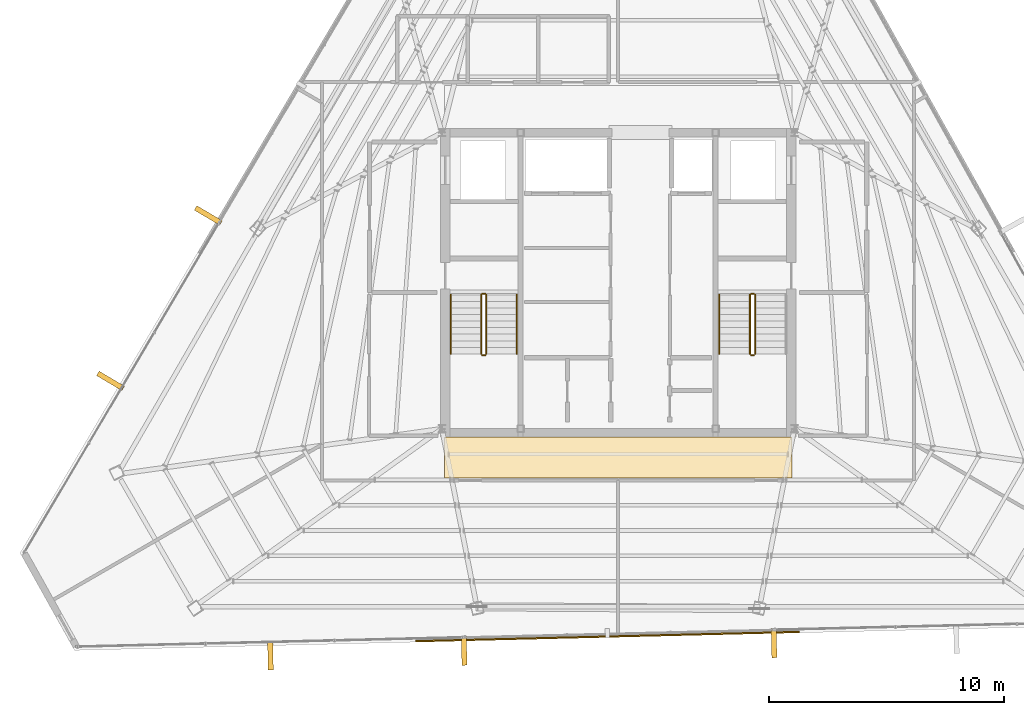
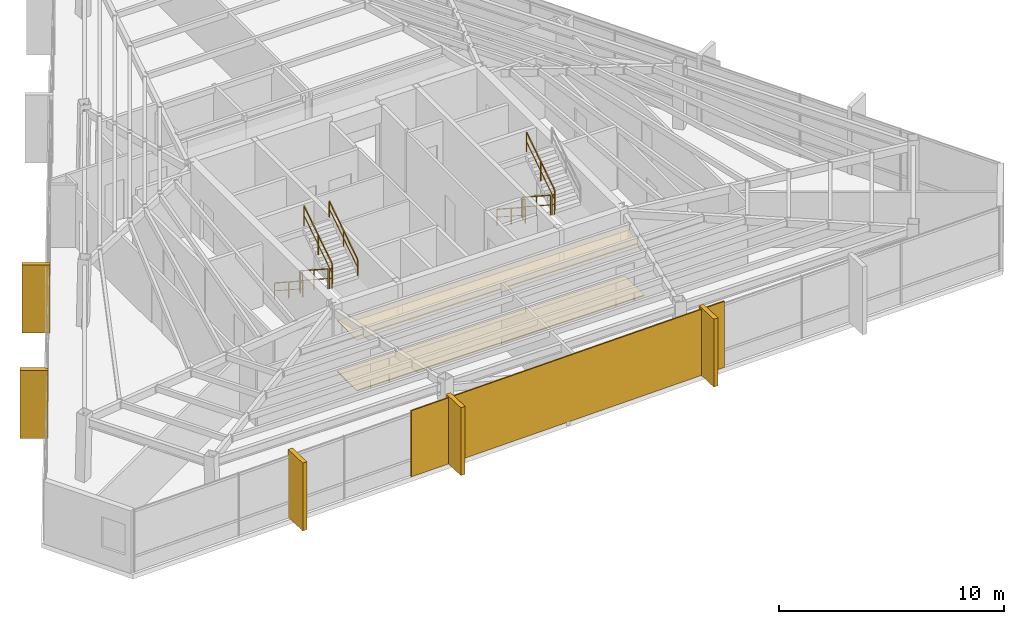
# One storey, part 47 of 48: 11 railings, 7 coverings, 1 shading device.
"""IFC4 building model written with IfcOpenShell, lengths in metres."""

import ifcopenshell
import ifcopenshell.guid

model = None  # the IFC model being written
_history = None  # IfcOwnerHistory: only IFC2X3 demands one
_inside = {}  # id of a spatial element -> (the spatial element, [elements in it])
_under = {}  # id of a project, library or spatial element -> (it, [spatial elements below it])
_declared = {}  # id of a project -> (the project, [libraries it declares])
_typed = {}  # id of a type object -> (the type object, [elements of that type])
_made_of = {}  # id of a material, layer set ... -> (it, [elements and type objects made of it])


def new_model(schema):
    """Start an empty IFC model of exactly this schema.

    Asked for "IFC4X3", IfcOpenShell would pick the latest addendum, in which some entities
    have other attributes; the version numbers below select the first issue.
    IFC2X3 requires an IfcOwnerHistory on every rooted entity: one is made here for all.
    """
    global model, _history
    if schema == "IFC4X3":
        model = ifcopenshell.file(schema_version=(4, 3, 0, 0))
    else:
        model = ifcopenshell.file(schema=schema)
    _inside.clear()
    _under.clear()
    _declared.clear()
    _typed.clear()
    _made_of.clear()
    _history = None
    if model.schema == "IFC2X3":
        org = make("IfcOrganization", Name="unknown")
        user = make(
            "IfcPersonAndOrganization",
            ThePerson=make("IfcPerson", FamilyName="unknown"),
            TheOrganization=org,
        )
        app = make(
            "IfcApplication",
            ApplicationDeveloper=org,
            Version="unknown",
            ApplicationFullName="unknown",
            ApplicationIdentifier="unknown",
        )
        _history = make(
            "IfcOwnerHistory",
            OwningUser=user,
            OwningApplication=app,
            ChangeAction="ADDED",
            CreationDate=0,
        )
    return model


def make(cls, **values):
    """One entity of the class cls with the attributes given. An attribute that is None is left unset."""
    return model.create_entity(
        cls, **{name: value for name, value in values.items() if value is not None}
    )


def rooted(cls, **values):
    """An entity with a GlobalId (a new one), such as an element, a storey or a relation."""
    return make(cls, GlobalId=ifcopenshell.guid.new(), OwnerHistory=_history, **values)


def si_unit(unit_type, name, prefix=None):
    """IfcSIUnit, for example si_unit("LENGTHUNIT", "METRE", prefix="MILLI")."""
    return make("IfcSIUnit", UnitType=unit_type, Prefix=prefix, Name=name)


def assignment(units):
    """IfcUnitAssignment: the units of a project."""
    return None if units is None else make("IfcUnitAssignment", Units=units)


def point(xyz):
    """IfcCartesianPoint."""
    return None if xyz is None else make("IfcCartesianPoint", Coordinates=xyz)


def direction(xyz):
    """IfcDirection."""
    return None if xyz is None else make("IfcDirection", DirectionRatios=xyz)


def frame(location, z_axis=None, x_axis=None):
    """IfcAxis2Placement3D, a coordinate frame: its origin and axes. An axis left out is left unset."""
    return make(
        "IfcAxis2Placement3D",
        Location=point(location),
        Axis=direction(z_axis),
        RefDirection=direction(x_axis),
    )


def frame_2d(location, x_axis=None):
    """IfcAxis2Placement2D, a coordinate frame in the plane: its origin and x axis."""
    return make(
        "IfcAxis2Placement2D", Location=point(location), RefDirection=direction(x_axis)
    )


def origin():
    """The frame at (0, 0, 0) with its axes left unset."""
    return frame((0.0, 0.0, 0.0))


def origin_2d():
    """The frame at (0, 0) in the plane with its x axis left unset."""
    return frame_2d((0.0, 0.0))


def place(relative_to, where):
    """IfcLocalPlacement: puts the frame where relative to a parent placement (None: the world)."""
    return make(
        "IfcLocalPlacement", PlacementRelTo=relative_to, RelativePlacement=where
    )


def context(
    kind, dimensions, precision=None, world=None, true_north=None, identifier=None
):
    """IfcGeometricRepresentationContext, for example the 3D "Model" context."""
    return make(
        "IfcGeometricRepresentationContext",
        ContextIdentifier=identifier,
        ContextType=kind,
        CoordinateSpaceDimension=dimensions,
        Precision=precision,
        WorldCoordinateSystem=world,
        TrueNorth=true_north,
    )


def subcontext(parent, identifier, kind, view, scale=None):
    """IfcGeometricRepresentationSubContext, for example "Body" below "Model"."""
    return make(
        "IfcGeometricRepresentationSubContext",
        ContextIdentifier=identifier,
        ContextType=kind,
        ParentContext=parent,
        TargetScale=scale,
        TargetView=view,
    )


def project(units=None, contexts=None):
    """IfcProject with its units and contexts."""
    return rooted(
        "IfcProject",
        Name="project",
        RepresentationContexts=contexts,
        UnitsInContext=assignment(units),
    )


def spatial(cls, under=None, at=None, **own):
    """A site, building, storey or space (cls), placed at a placement, below another one or the project."""
    s = rooted(cls, ObjectPlacement=at, **own)
    if under is not None:
        _under.setdefault(under.id(), (under, []))[1].append(s)
    return s


def polyline(points):
    """IfcPolyline through the points."""
    return make("IfcPolyline", Points=[point(p) for p in points])


def profile(cls, at=None, kind="AREA", **sizes):
    """A parametric profile (cls). Its sizes go by their IFC names, for example OverallWidth=200.0."""
    return make(cls, ProfileType=kind, Position=at, **sizes)


def rectangle(**sizes):
    """IfcRectangleProfileDef."""
    return profile("IfcRectangleProfileDef", **sizes)


def outline(outer, holes=None, kind="AREA"):
    """IfcArbitraryClosedProfileDef: a profile drawn as a closed curve; with holes, ...WithVoids."""
    if holes is None:
        return make("IfcArbitraryClosedProfileDef", ProfileType=kind, OuterCurve=outer)
    return make(
        "IfcArbitraryProfileDefWithVoids",
        ProfileType=kind,
        OuterCurve=outer,
        InnerCurves=holes,
    )


def extrude(swept, where, along, depth):
    """IfcExtrudedAreaSolid: the profile swept, set in the frame where, extruded along a direction by depth."""
    return make(
        "IfcExtrudedAreaSolid",
        SweptArea=swept,
        Position=where,
        ExtrudedDirection=direction(along),
        Depth=depth,
    )


def shape(context_of_items, identifier, shape_type, items):
    """IfcShapeRepresentation: the items that make up one representation, for example the "Body"."""
    return make(
        "IfcShapeRepresentation",
        ContextOfItems=context_of_items,
        RepresentationIdentifier=identifier,
        RepresentationType=shape_type,
        Items=items,
    )


def source(mapping_origin, context_of_items, identifier, shape_type, items):
    """IfcRepresentationMap: a shape defined once, which mapped items show again and again."""
    return make(
        "IfcRepresentationMap",
        MappingOrigin=mapping_origin,
        MappedRepresentation=shape(context_of_items, identifier, shape_type, items),
    )


def transform(
    local_origin,
    x_axis=None,
    y_axis=None,
    z_axis=None,
    scale=None,
    scale2=None,
    scale3=None,
    uniform=True,
):
    """IfcCartesianTransformationOperator3D, or its non-uniform kind. x_axis, y_axis, z_axis: its Axis1, 2, 3."""
    if uniform:
        return make(
            "IfcCartesianTransformationOperator3D",
            Axis1=direction(x_axis),
            Axis2=direction(y_axis),
            LocalOrigin=point(local_origin),
            Scale=scale,
            Axis3=direction(z_axis),
        )
    return make(
        "IfcCartesianTransformationOperator3DnonUniform",
        Axis1=direction(x_axis),
        Axis2=direction(y_axis),
        LocalOrigin=point(local_origin),
        Scale=scale,
        Axis3=direction(z_axis),
        Scale2=scale2,
        Scale3=scale3,
    )


def mapped(mapping_source, mapping_target):
    """IfcMappedItem: shows the shape of a source again, moved by a transform."""
    return make(
        "IfcMappedItem", MappingSource=mapping_source, MappingTarget=mapping_target
    )


def material(Name=None, Category=None):
    """IfcMaterial."""
    return make("IfcMaterial", Name=Name, Category=Category)


def layer(
    of_material, thickness, ventilated=None, Name=None, Category=None, Priority=None
):
    """IfcMaterialLayer: one layer of a wall or slab, of a material (None: an air gap)."""
    return make(
        "IfcMaterialLayer",
        Material=of_material,
        LayerThickness=thickness,
        IsVentilated=ventilated,
        Name=Name,
        Category=Category,
        Priority=Priority,
    )


def layer_set(layers, Name=None):
    """IfcMaterialLayerSet."""
    return make("IfcMaterialLayerSet", MaterialLayers=layers, LayerSetName=Name)


def made_of(thing, what):
    """Note that an element or type object is made of a material, layer set ...; save() writes the relation."""
    if what is not None:
        _made_of.setdefault(what.id(), (what, []))[1].append(thing)
    return thing


def type_object(cls, material=None, **own):
    """A type object (cls), such as IfcWallType, which elements share."""
    return made_of(rooted(cls, **own), material)


def type_shapes(of_type, sources):
    """Give a type object the sources (RepresentationMaps) that its elements show as mapped items."""
    of_type.RepresentationMaps = sources


def element(
    cls,
    number,
    at=None,
    inside=None,
    cuts=None,
    type_object=None,
    material=None,
    context=None,
    identifier="Body",
    shape_type=None,
    held_by="IfcProductDefinitionShape",
    body=None,
    shapes=None,
    **own,
):
    """One element of the class cls, such as IfcWall. Its Tag is "e" and its number.

    at: its placement. inside: the storey or other place that contains it. cuts: it is an
    opening in that element (IfcRelVoidsElement). A single representation is given by context,
    identifier, shape_type and body (its items); several are given by shapes. held_by: the class
    of the entity that holds the representations. save() writes the other relations.
    """
    e = rooted(cls, Tag="e%d" % number, ObjectPlacement=at, **own)
    if body is not None:
        shapes = [shape(context, identifier, shape_type, body)]
    if shapes is not None:
        e.Representation = make(held_by, Representations=shapes)
    if inside is not None:
        _inside.setdefault(inside.id(), (inside, []))[1].append(e)
    if cuts is not None:
        rooted(
            "IfcRelVoidsElement", RelatingBuildingElement=cuts, RelatedOpeningElement=e
        )
    if type_object is not None:
        _typed.setdefault(type_object.id(), (type_object, []))[1].append(e)
    return made_of(e, material)


def aggregate(whole, parts):
    """IfcRelAggregates: a whole, such as a stair, and the parts it consists of."""
    return rooted("IfcRelAggregates", RelatingObject=whole, RelatedObjects=parts)


def save(model, path):
    """Write the relations noted so far, then the file.

    IfcRelAggregates (storeys below a building ...), IfcRelContainedInSpatialStructure (elements
    in a storey), IfcRelDefinesByType, IfcRelAssociatesMaterial and IfcRelDeclares: one each for
    every whole, place, type object, material and project.
    """
    for whole, parts in _under.values():
        aggregate(whole, parts)
    for where, things in _inside.values():
        rooted(
            "IfcRelContainedInSpatialStructure",
            RelatedElements=things,
            RelatingStructure=where,
        )
    for kind, things in _typed.values():
        rooted("IfcRelDefinesByType", RelatedObjects=things, RelatingType=kind)
    for what, things in _made_of.values():
        rooted("IfcRelAssociatesMaterial", RelatedObjects=things, RelatingMaterial=what)
    for by, libraries in _declared.values():
        rooted("IfcRelDeclares", RelatingContext=by, RelatedDefinitions=libraries)
    model.write(path)


model = new_model("IFC4")

# Units and contexts
model_context = context("Model", 3, precision=1e-05, world=origin(), true_north=direction((0.0, 1.0)))
body_context = subcontext(model_context, "Body", "Model", "MODEL_VIEW")
ifc_project = project(units=[si_unit("LENGTHUNIT", "METRE"), si_unit("AREAUNIT", "SQUARE_METRE"), si_unit("VOLUMEUNIT", "CUBIC_METRE"), si_unit("PLANEANGLEUNIT", "RADIAN"), si_unit("MASSUNIT", "GRAM", prefix="KILO")], contexts=[model_context])

# Site, building, storey
site_placement = place(None, origin())
site = spatial("IfcSite", under=ifc_project, at=site_placement, CompositionType="ELEMENT")
building_placement = place(site_placement, origin())
building = spatial("IfcBuilding", under=site, at=building_placement, Name="Caelisora Broadcast Tower", CompositionType="ELEMENT")
storey_placement = place(building_placement, frame((0.0, 0.0, 277.300048828125)))
storey = spatial("IfcBuildingStorey", under=building, at=storey_placement, Name="L73", CompositionType="ELEMENT", Elevation=277.300048828125)

# Coverings
ifc_material_1 = material(Name="Perforated Mineral-Fibre Acoustic Ceiling Tile", Category="gypsum")
ifc_layer_1 = layer(ifc_material_1, 0.034912109375, Name="Perforated Mineral-Fibre Acoustic Ceiling Tile")
ifc_layer_set_1 = layer_set([ifc_layer_1], Name="Perforated Mineral-Fibre Acoustic Ceiling Tile")
covering_type_1 = type_object("IfcCoveringType", Name="CE-1", PredefinedType="CEILING", material=ifc_layer_set_1)
covering_1_placement = place(storey_placement, frame((0.0, 0.0, 2.75)))
element("IfcCovering", 1, at=covering_1_placement, inside=storey, type_object=covering_type_1, Name="L73 acoustic corridor ceiling CE-1 (S)", PredefinedType="CEILING", context=body_context, shape_type="SweptSolid", body=[
    extrude(outline(polyline([(30.60009765625, 15.300048828125), (45.39990234375, 15.300048828125), (45.39990234375, 17.050048828125), (30.60009765625, 17.050048828125), (30.60009765625, 15.300048828125)])), origin(), (0.0, 0.0, 1.0), 0.034912109375),
])
ifc_material_2 = material(Name="Anti-Static Broadcast Raised Access Floor Panel", Category="steel")
ifc_layer_2 = layer(ifc_material_2, 0.044921875, Name="Anti-Static Broadcast Raised Access Floor Panel")
ifc_layer_set_2 = layer_set([ifc_layer_2], Name="Anti-Static Broadcast Raised Access Floor Panel")
covering_type_2 = type_object("IfcCoveringType", Name="FL-1", PredefinedType="FLOORING", material=ifc_layer_set_2)
covering_2_placement = place(storey_placement, origin())
element("IfcCovering", 2, at=covering_2_placement, inside=storey, type_object=covering_type_2, Name="L73 broadcast raised access floor FL-1 (S)", PredefinedType="FLOORING", context=body_context, shape_type="SweptSolid", body=[
    extrude(outline(polyline([(30.60009765625, 15.300048828125), (45.39990234375, 15.300048828125), (45.39990234375, 17.050048828125), (30.60009765625, 17.050048828125), (30.60009765625, 15.300048828125)])), origin(), (0.0, 0.0, 1.0), 0.044921875),
])

# Railings
ifc_material_3 = material(Name="Galvanised Steel Safety Guardrail", Category="steel")
ifc_layer_3 = layer(ifc_material_3, 0.048095703125, Name="Galvanised Steel Safety Guardrail")
ifc_layer_set_3 = layer_set([ifc_layer_3], Name="Galvanised Steel Safety Guardrail")
railing_type_1 = type_object("IfcRailingType", Name="GR-1", PredefinedType="GUARDRAIL", material=ifc_layer_set_3)
railing_1_placement = place(storey_placement, frame((32.169921875, 23.10009765625, 0.182373046875)))
element("IfcRailing", 3, at=railing_1_placement, inside=storey, type_object=railing_type_1, Name="L73 ST-1 stair guard 1", PredefinedType="GUARDRAIL", context=body_context, shape_type="SweptSolid", body=[
    extrude(rectangle(XDim=0.048095703125, YDim=0.048095703125, at=origin_2d()), frame((0.0, 0.0, 1.076171875), z_axis=(0.0, -0.837749427056, 0.546054848405), x_axis=(1.0, 0.0, 0.0)), (0.0, 0.0, 1.0), 3.008056640625),
    extrude(rectangle(XDim=0.03125, YDim=0.03125, at=origin_2d()), frame((0.0, 0.0, 0.550048828125), z_axis=(0.0, -0.837749427056, 0.546054848405), x_axis=(1.0, 0.0, 0.0)), (0.0, 0.0, 1.0), 3.008056640625),
    extrude(rectangle(XDim=0.0419921875, YDim=0.0419921875, at=origin_2d()), origin(), (0.0, 0.0, 1.0), 1.052001953125),
    extrude(rectangle(XDim=0.0419921875, YDim=0.0419921875, at=origin_2d()), frame((0.0, -1.260009765625, 0.8212890625)), (0.0, 0.0, 1.0), 1.052001953125),
    extrude(rectangle(XDim=0.0419921875, YDim=0.0419921875, at=origin_2d()), frame((0.0, -2.52001953125, 1.642578125)), (0.0, 0.0, 1.0), 1.052001953125),
])
railing_2_placement = place(storey_placement, frame((32.219970703125, 20.530029296875, 1.824951171875)))
element("IfcRailing", 4, at=railing_2_placement, inside=storey, type_object=railing_type_1, Name="L73 ST-1 stair guard 2", PredefinedType="GUARDRAIL", context=body_context, shape_type="SweptSolid", body=[
    extrude(rectangle(XDim=0.048095703125, YDim=0.048095703125, at=origin_2d()), frame((0.0, 0.0, 1.076171875), z_axis=(1.0, 0.0, 0.0), x_axis=(0.0, 1.0, 0.0)), (0.0, 0.0, 1.0), 0.1201171875),
    extrude(rectangle(XDim=0.03125, YDim=0.03125, at=origin_2d()), frame((0.0, 0.0, 0.550048828125), z_axis=(1.0, 0.0, 0.0), x_axis=(0.0, 1.0, 0.0)), (0.0, 0.0, 1.0), 0.1201171875),
    extrude(rectangle(XDim=0.0419921875, YDim=0.0419921875, at=origin_2d()), origin(), (0.0, 0.0, 1.0), 1.052001953125),
    extrude(rectangle(XDim=0.0419921875, YDim=0.0419921875, at=origin_2d()), frame((0.1201171875, 0.0, 0.0)), (0.0, 0.0, 1.0), 1.052001953125),
])
railing_3_placement = place(storey_placement, frame((32.389892578125, 20.580078125, 2.007568359375)))
element("IfcRailing", 5, at=railing_3_placement, inside=storey, type_object=railing_type_1, Name="L73 ST-1 stair guard 3", PredefinedType="GUARDRAIL", context=body_context, shape_type="SweptSolid", body=[
    extrude(rectangle(XDim=0.048095703125, YDim=0.048095703125, at=origin_2d()), frame((0.0, 0.0, 1.076171875), z_axis=(0.0, 0.837786554691, 0.545997883492), x_axis=(-1.0, 0.0, 0.0)), (0.0, 0.0, 1.0), 3.008056640625),
    extrude(rectangle(XDim=0.03125, YDim=0.03125, at=origin_2d()), frame((0.0, 0.0, 0.550048828125), z_axis=(0.0, 0.837786554691, 0.545997883492), x_axis=(-1.0, 0.0, 0.0)), (0.0, 0.0, 1.0), 3.008056640625),
    extrude(rectangle(XDim=0.0419921875, YDim=0.0419921875, at=origin_2d()), origin(), (0.0, 0.0, 1.0), 1.052001953125),
    extrude(rectangle(XDim=0.0419921875, YDim=0.0419921875, at=origin_2d()), frame((0.0, 1.260009765625, 0.8212890625)), (0.0, 0.0, 1.0), 1.052001953125),
    extrude(rectangle(XDim=0.0419921875, YDim=0.0419921875, at=origin_2d()), frame((0.0, 2.52001953125, 1.642333984375)), (0.0, 0.0, 1.0), 1.052001953125),
])
railing_4_placement = place(storey_placement, frame((32.219970703125, 23.14990234375, 0.0)))
element("IfcRailing", 6, at=railing_4_placement, inside=storey, type_object=railing_type_1, Name="L73 ST-1 stair guard 4", PredefinedType="GUARDRAIL", context=body_context, shape_type="SweptSolid", body=[
    extrude(rectangle(XDim=0.048095703125, YDim=0.048095703125, at=origin_2d()), frame((0.0, 0.0, 1.076171875), z_axis=(1.0, 0.0, 0.0), x_axis=(0.0, 1.0, 0.0)), (0.0, 0.0, 1.0), 0.1201171875),
    extrude(rectangle(XDim=0.03125, YDim=0.03125, at=origin_2d()), frame((0.0, 0.0, 0.550048828125), z_axis=(1.0, 0.0, 0.0), x_axis=(0.0, 1.0, 0.0)), (0.0, 0.0, 1.0), 0.1201171875),
    extrude(rectangle(XDim=0.0419921875, YDim=0.0419921875, at=origin_2d()), origin(), (0.0, 0.0, 1.0), 1.052001953125),
    extrude(rectangle(XDim=0.0419921875, YDim=0.0419921875, at=origin_2d()), frame((0.1201171875, 0.0, 0.0)), (0.0, 0.0, 1.0), 1.052001953125),
])
railing_5_placement = place(storey_placement, frame((43.610107421875, 23.10009765625, 0.182373046875)))
element("IfcRailing", 7, at=railing_5_placement, inside=storey, type_object=railing_type_1, Name="L73 ST-2 stair guard 1", PredefinedType="GUARDRAIL", context=body_context, shape_type="SweptSolid", body=[
    extrude(rectangle(XDim=0.048095703125, YDim=0.048095703125, at=origin_2d()), frame((0.0, 0.0, 1.076171875), z_axis=(0.0, -0.837749427056, 0.546054848405), x_axis=(1.0, 0.0, 0.0)), (0.0, 0.0, 1.0), 3.008056640625),
    extrude(rectangle(XDim=0.03125, YDim=0.03125, at=origin_2d()), frame((0.0, 0.0, 0.550048828125), z_axis=(0.0, -0.837749427056, 0.546054848405), x_axis=(1.0, 0.0, 0.0)), (0.0, 0.0, 1.0), 3.008056640625),
    extrude(rectangle(XDim=0.0419921875, YDim=0.0419921875, at=origin_2d()), origin(), (0.0, 0.0, 1.0), 1.052001953125),
    extrude(rectangle(XDim=0.0419921875, YDim=0.0419921875, at=origin_2d()), frame((0.0, -1.260009765625, 0.8212890625)), (0.0, 0.0, 1.0), 1.052001953125),
    extrude(rectangle(XDim=0.0419921875, YDim=0.0419921875, at=origin_2d()), frame((0.0, -2.52001953125, 1.642578125)), (0.0, 0.0, 1.0), 1.052001953125),
])
railing_6_placement = place(storey_placement, frame((43.659912109375, 20.530029296875, 1.824951171875)))
element("IfcRailing", 8, at=railing_6_placement, inside=storey, type_object=railing_type_1, Name="L73 ST-2 stair guard 2", PredefinedType="GUARDRAIL", context=body_context, shape_type="SweptSolid", body=[
    extrude(rectangle(XDim=0.048095703125, YDim=0.048095703125, at=origin_2d()), frame((0.0, 0.0, 1.076171875), z_axis=(1.0, 0.0, 0.0), x_axis=(0.0, 1.0, 0.0)), (0.0, 0.0, 1.0), 0.1201171875),
    extrude(rectangle(XDim=0.03125, YDim=0.03125, at=origin_2d()), frame((0.0, 0.0, 0.550048828125), z_axis=(1.0, 0.0, 0.0), x_axis=(0.0, 1.0, 0.0)), (0.0, 0.0, 1.0), 0.1201171875),
    extrude(rectangle(XDim=0.0419921875, YDim=0.0419921875, at=origin_2d()), origin(), (0.0, 0.0, 1.0), 1.052001953125),
    extrude(rectangle(XDim=0.0419921875, YDim=0.0419921875, at=origin_2d()), frame((0.1201171875, 0.0, 0.0)), (0.0, 0.0, 1.0), 1.052001953125),
])
railing_7_placement = place(storey_placement, frame((43.830078125, 20.580078125, 2.007568359375)))
element("IfcRailing", 9, at=railing_7_placement, inside=storey, type_object=railing_type_1, Name="L73 ST-2 stair guard 3", PredefinedType="GUARDRAIL", context=body_context, shape_type="SweptSolid", body=[
    extrude(rectangle(XDim=0.048095703125, YDim=0.048095703125, at=origin_2d()), frame((0.0, 0.0, 1.076171875), z_axis=(0.0, 0.837786554691, 0.545997883492), x_axis=(-1.0, 0.0, 0.0)), (0.0, 0.0, 1.0), 3.008056640625),
    extrude(rectangle(XDim=0.03125, YDim=0.03125, at=origin_2d()), frame((0.0, 0.0, 0.550048828125), z_axis=(0.0, 0.837786554691, 0.545997883492), x_axis=(-1.0, 0.0, 0.0)), (0.0, 0.0, 1.0), 3.008056640625),
    extrude(rectangle(XDim=0.0419921875, YDim=0.0419921875, at=origin_2d()), origin(), (0.0, 0.0, 1.0), 1.052001953125),
    extrude(rectangle(XDim=0.0419921875, YDim=0.0419921875, at=origin_2d()), frame((0.0, 1.260009765625, 0.8212890625)), (0.0, 0.0, 1.0), 1.052001953125),
    extrude(rectangle(XDim=0.0419921875, YDim=0.0419921875, at=origin_2d()), frame((0.0, 2.52001953125, 1.642333984375)), (0.0, 0.0, 1.0), 1.052001953125),
])
railing_8_placement = place(storey_placement, frame((43.659912109375, 23.14990234375, 0.0)))
element("IfcRailing", 10, at=railing_8_placement, inside=storey, type_object=railing_type_1, Name="L73 ST-2 stair guard 4", PredefinedType="GUARDRAIL", context=body_context, shape_type="SweptSolid", body=[
    extrude(rectangle(XDim=0.048095703125, YDim=0.048095703125, at=origin_2d()), frame((0.0, 0.0, 1.076171875), z_axis=(1.0, 0.0, 0.0), x_axis=(0.0, 1.0, 0.0)), (0.0, 0.0, 1.0), 0.1201171875),
    extrude(rectangle(XDim=0.03125, YDim=0.03125, at=origin_2d()), frame((0.0, 0.0, 0.550048828125), z_axis=(1.0, 0.0, 0.0), x_axis=(0.0, 1.0, 0.0)), (0.0, 0.0, 1.0), 0.1201171875),
    extrude(rectangle(XDim=0.0419921875, YDim=0.0419921875, at=origin_2d()), origin(), (0.0, 0.0, 1.0), 1.052001953125),
    extrude(rectangle(XDim=0.0419921875, YDim=0.0419921875, at=origin_2d()), frame((0.1201171875, 0.0, 0.0)), (0.0, 0.0, 1.0), 1.052001953125),
])
ifc_material_4 = material(Name="Stainless Steel Grade 316 Tubular Handrail", Category="steel")
ifc_layer_4 = layer(ifc_material_4, 0.048095703125, Name="Stainless Steel Grade 316 Tubular Handrail")
ifc_layer_set_4 = layer_set([ifc_layer_4], Name="Stainless Steel Grade 316 Tubular Handrail")
railing_type_2 = type_object("IfcRailingType", Name="HR-1", PredefinedType="HANDRAIL", material=ifc_layer_set_4)
railing_9_placement = place(storey_placement, frame((30.8701171875, 23.10009765625, 0.182373046875)))
element("IfcRailing", 11, at=railing_9_placement, inside=storey, type_object=railing_type_2, Name="L73 ST-1 stair handrail 1", PredefinedType="HANDRAIL", context=body_context, shape_type="SweptSolid", body=[
    extrude(rectangle(XDim=0.048095703125, YDim=0.048095703125, at=origin_2d()), frame((0.0, 0.0, 0.8759765625), z_axis=(0.0, -0.837749427056, 0.546054848405), x_axis=(1.0, 0.0, 0.0)), (0.0, 0.0, 1.0), 3.008056640625),
    extrude(rectangle(XDim=0.03125, YDim=0.03125, at=origin_2d()), frame((0.0, 0.0, 0.449951171875), z_axis=(0.0, -0.837749427056, 0.546054848405), x_axis=(1.0, 0.0, 0.0)), (0.0, 0.0, 1.0), 3.008056640625),
    extrude(rectangle(XDim=0.0419921875, YDim=0.0419921875, at=origin_2d()), origin(), (0.0, 0.0, 1.0), 0.851806640625),
    extrude(rectangle(XDim=0.0419921875, YDim=0.0419921875, at=origin_2d()), frame((0.0, -1.260009765625, 0.8212890625)), (0.0, 0.0, 1.0), 0.851806640625),
    extrude(rectangle(XDim=0.0419921875, YDim=0.0419921875, at=origin_2d()), frame((0.0, -2.52001953125, 1.642578125)), (0.0, 0.0, 1.0), 0.851806640625),
])
railing_10_placement = place(storey_placement, frame((33.68994140625, 20.580078125, 2.007568359375)))
element("IfcRailing", 12, at=railing_10_placement, inside=storey, type_object=railing_type_2, Name="L73 ST-1 stair handrail 2", PredefinedType="HANDRAIL", context=body_context, shape_type="SweptSolid", body=[
    extrude(rectangle(XDim=0.048095703125, YDim=0.048095703125, at=origin_2d()), frame((0.0, 0.0, 0.8759765625), z_axis=(0.0, 0.837786554691, 0.545997883492), x_axis=(-1.0, 0.0, 0.0)), (0.0, 0.0, 1.0), 3.008056640625),
    extrude(rectangle(XDim=0.03125, YDim=0.03125, at=origin_2d()), frame((0.0, 0.0, 0.449951171875), z_axis=(0.0, 0.837786554691, 0.545997883492), x_axis=(-1.0, 0.0, 0.0)), (0.0, 0.0, 1.0), 3.008056640625),
    extrude(rectangle(XDim=0.0419921875, YDim=0.0419921875, at=origin_2d()), origin(), (0.0, 0.0, 1.0), 0.851806640625),
    extrude(rectangle(XDim=0.0419921875, YDim=0.0419921875, at=origin_2d()), frame((0.0, 1.260009765625, 0.8212890625)), (0.0, 0.0, 1.0), 0.851806640625),
    extrude(rectangle(XDim=0.0419921875, YDim=0.0419921875, at=origin_2d()), frame((0.0, 2.52001953125, 1.642333984375)), (0.0, 0.0, 1.0), 0.851806640625),
])
railing_11_placement = place(storey_placement, frame((42.31005859375, 23.10009765625, 0.182373046875)))
element("IfcRailing", 13, at=railing_11_placement, inside=storey, type_object=railing_type_2, Name="L73 ST-2 stair handrail 1", PredefinedType="HANDRAIL", context=body_context, shape_type="SweptSolid", body=[
    extrude(rectangle(XDim=0.048095703125, YDim=0.048095703125, at=origin_2d()), frame((0.0, 0.0, 0.8759765625), z_axis=(0.0, -0.837749427056, 0.546054848405), x_axis=(1.0, 0.0, 0.0)), (0.0, 0.0, 1.0), 3.008056640625),
    extrude(rectangle(XDim=0.03125, YDim=0.03125, at=origin_2d()), frame((0.0, 0.0, 0.449951171875), z_axis=(0.0, -0.837749427056, 0.546054848405), x_axis=(1.0, 0.0, 0.0)), (0.0, 0.0, 1.0), 3.008056640625),
    extrude(rectangle(XDim=0.0419921875, YDim=0.0419921875, at=origin_2d()), origin(), (0.0, 0.0, 1.0), 0.851806640625),
    extrude(rectangle(XDim=0.0419921875, YDim=0.0419921875, at=origin_2d()), frame((0.0, -1.260009765625, 0.8212890625)), (0.0, 0.0, 1.0), 0.851806640625),
    extrude(rectangle(XDim=0.0419921875, YDim=0.0419921875, at=origin_2d()), frame((0.0, -2.52001953125, 1.642578125)), (0.0, 0.0, 1.0), 0.851806640625),
])

# Coverings
ifc_material_5 = material(Name="Kiln-Fired Terracotta Spandrel Rainscreen Cladding", Category="ceramic")
ifc_layer_5 = layer(ifc_material_5, 0.044921875, Name="Kiln-Fired Terracotta Spandrel Rainscreen Cladding")
ifc_layer_set_5 = layer_set([ifc_layer_5], Name="Kiln-Fired Terracotta Spandrel Rainscreen Cladding")
covering_type_3 = type_object("IfcCoveringType", Name="CL-1", PredefinedType="CLADDING", material=ifc_layer_set_5)
shared_shape_1 = source(origin(), body_context, "Body", "SweptSolid", [
    extrude(rectangle(XDim=0.219970703125, YDim=1.25, at=origin_2d()), origin(), (0.0, 0.0, 1.0), 3.68994140625),
])
type_shapes(covering_type_3, [shared_shape_1])
for number, where, z_axis, x_axis, name in (
    (14, (44.63427734375, 8.276123046875, -0.02001953125), (0.0, 0.0, 1.0), (-0.999705738774, -0.024257696956, 0.0), "L73 vertical solar fin cladding #2-2"),
    (15, (31.44482421875, 7.95654296875, -0.02001953125), (0.0, 0.0, 1.0), (-0.999705738774, -0.024257696956, 0.0), "L73 vertical solar fin cladding #2-3"),
    (16, (23.201171875, 7.7568359375, -0.02001953125), (0.0, 0.0, 1.0), (-0.999705738774, -0.024257696956, 0.0), "L73 vertical solar fin cladding #2-4"),
    (17, (16.393310546875, 19.435302734375, -0.02001953125), (0.0, 0.0, 1.0), (0.508590662521, 0.861008442465, 0.0), "L73 vertical solar fin cladding #3-1"),
    (18, (20.5537109375, 26.4775390625, -0.02001953125), (0.0, 0.0, 1.0), (0.508590662521, 0.861008442465, 0.0), "L73 vertical solar fin cladding #3-2"),
):
    element("IfcCovering", number, at=place(storey_placement, frame(where, z_axis=z_axis, x_axis=x_axis)), inside=storey, type_object=covering_type_3, Name=name, PredefinedType="CLADDING", context=body_context, shape_type="MappedRepresentation", body=[
        mapped(shared_shape_1, transform((0.0, 0.0, 0.0), scale=1.0)),
    ])

# Shading device
ifc_material_6 = material(Name="Perforated Glazed Terracotta Baguette Solar Screen", Category="ceramic")
ifc_layer_6 = layer(ifc_material_6, 0.06494140625, Name="Perforated Glazed Terracotta Baguette Solar Screen")
ifc_layer_set_6 = layer_set([ifc_layer_6], Name="Perforated Glazed Terracotta Baguette Solar Screen")
shading_device_type = type_object("IfcShadingDeviceType", Name="SS-1", PredefinedType="USERDEFINED", material=ifc_layer_set_6)
shared_shape_2 = source(origin(), body_context, "Body", "SweptSolid", [
    extrude(rectangle(XDim=16.341064453125, YDim=0.06494140625, at=origin_2d()), origin(), (0.0, 0.0, 1.0), 3.590087890625),
])
type_shapes(shading_device_type, [shared_shape_2])
shading_device_placement = place(storey_placement, frame((37.54443359375, 8.554443359375, 0.0), z_axis=(0.0, 0.0, 1.0), x_axis=(0.999705738774, 0.024257696956, 0.0)))
element("IfcShadingDevice", 19, at=shading_device_placement, inside=storey, type_object=shading_device_type, Name="L73 perforated terracotta solar screen #2", ObjectType="SOLAR SCREEN", PredefinedType="USERDEFINED", context=body_context, shape_type="MappedRepresentation", body=[
    mapped(shared_shape_2, transform((0.0, 0.0, 0.0), scale=1.0)),
])

save(model, "model.ifc")
